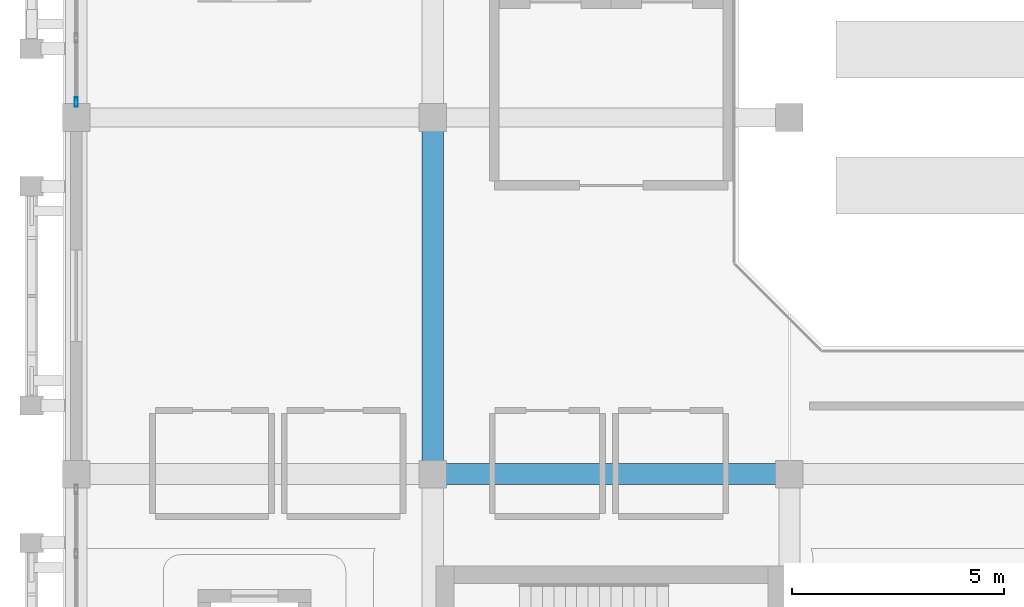
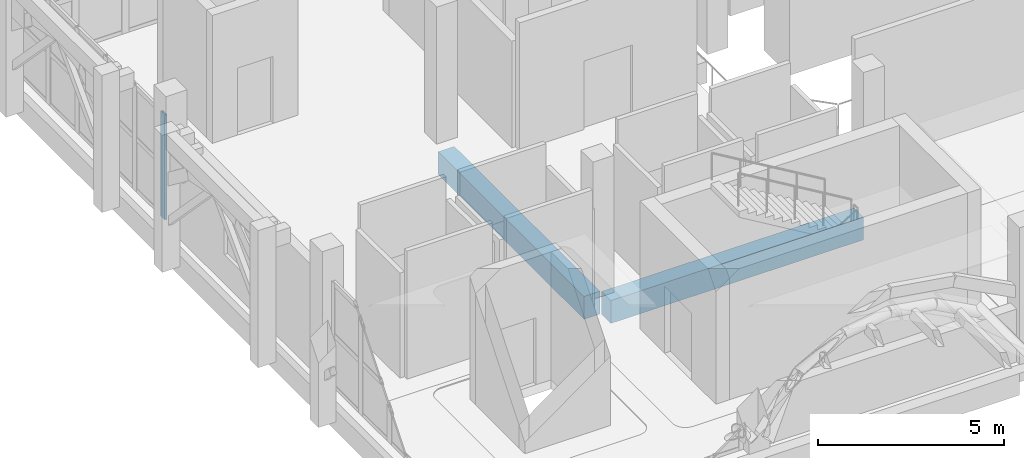
# One storey, part 6 of 22: 2 beams, 1 member, 1 element without a shape of its own.
"""IFC4 building model written with IfcOpenShell, lengths in metres."""

from ifc_helpers import new_model, si_unit, direction, frame, origin, origin_2d, place, context, subcontext, project, spatial, rectangle, hollow_rectangle, extrude, material, layer, layer_set, material_profile, profile_set, type_object, element, aggregate, save


model = new_model("IFC4")

# Units and contexts
model_context = context("Model", 3, precision=1e-05, world=origin(), true_north=direction((0.0, 1.0)))
body_context = subcontext(model_context, "Body", "Model", "MODEL_VIEW")
ifc_project = project(units=[si_unit("LENGTHUNIT", "METRE"), si_unit("AREAUNIT", "SQUARE_METRE"), si_unit("VOLUMEUNIT", "CUBIC_METRE"), si_unit("PLANEANGLEUNIT", "RADIAN"), si_unit("MASSUNIT", "GRAM", prefix="KILO")], contexts=[model_context])

# Site, building, storey
site_placement = place(None, origin())
site = spatial("IfcSite", under=ifc_project, at=site_placement, CompositionType="ELEMENT")
building_placement = place(site_placement, origin())
building = spatial("IfcBuilding", under=site, at=building_placement, Name="Xazarin Passage Department Store", CompositionType="ELEMENT")
storey_placement = place(building_placement, frame((0.0, 0.0, 27.89990234375)))
storey = spatial("IfcBuildingStorey", under=building, at=storey_placement, Name="L06", CompositionType="ELEMENT", Elevation=27.89990234375)

# Curtain wall, member
ifc_material_1 = material(Name="Bronze anodised aluminium", Category="aluminium")
ifc_layer = layer(ifc_material_1, 0.199951171875)
ifc_layer_set = layer_set([ifc_layer], Name="Bronze anodised aluminium")
curtain_wall_type = type_object("IfcCurtainWallType", Name="ARC-CW-VIT2", PredefinedType="NOTDEFINED", material=ifc_layer_set)
curtain_wall_placement = place(storey_placement, origin())
curtain_wall = element("IfcCurtainWall", 1, at=curtain_wall_placement, inside=storey, type_object=curtain_wall_type, Name="L06 V1 Curtain Wall 090", PredefinedType="NOTDEFINED")
ifc_material_profile_1 = material_profile(ifc_material_1, hollow_rectangle(XDim=0.074951171875, YDim=0.219970703125, WallThickness=0.0048828125, at=origin_2d()), Name="ALU 75x220")
ifc_profile_set_1 = profile_set([ifc_material_profile_1], Name="Bronze anodised aluminium")
member_type = type_object("IfcMemberType", Name="ARC-CWM-75x220", PredefinedType="MULLION", material=ifc_profile_set_1)
member_placement = place(storey_placement, frame((0.0, 93.5625, 0.0), z_axis=(0.0, 0.0, 1.0), x_axis=(-1.0, 0.0, 0.0)))
member = element("IfcMember", 2, at=member_placement, type_object=member_type, Name="CW2 mullion 1", PredefinedType="MULLION", context=body_context, shape_type="SweptSolid", body=[
    extrude(hollow_rectangle(XDim=0.074951171875, YDim=0.219970703125, WallThickness=0.0048828125, at=origin_2d()), origin(), (0.0, 0.0, 1.0), 3.4501953125),
])
aggregate(curtain_wall, [member])

# Beams
ifc_material_2 = material(Name="Concrete C35/45", Category="concrete")
ifc_material_profile_2 = material_profile(ifc_material_2, rectangle(XDim=0.5, YDim=0.75, at=origin_2d()), Name="RC 500x750")
ifc_profile_set_2 = profile_set([ifc_material_profile_2], Name="Concrete C35/45")
beam_type = type_object("IfcBeamType", Name="STR-BM-SP500x750", PredefinedType="SPANDREL", material=ifc_profile_set_2)
beam_1_placement = place(storey_placement, frame((8.679931640625, 84.800048828125, -0.6748046875), z_axis=(1.0, 0.0, 0.0), x_axis=(0.0, 1.0, 0.0)))
element("IfcBeam", 3, at=beam_1_placement, inside=storey, type_object=beam_type, Name="L06 Grid Beam M/2-3", PredefinedType="SPANDREL", context=body_context, shape_type="SweptSolid", body=[
    extrude(rectangle(XDim=0.5, YDim=0.75, at=origin_2d()), origin(), (0.0, 0.0, 1.0), 7.840087890625),
])
beam_2_placement = place(storey_placement, frame((8.39990234375, 85.080078125, -0.6748046875), z_axis=(0.0, 1.0, 0.0), x_axis=(-1.0, 0.0, 0.0)))
element("IfcBeam", 4, at=beam_2_placement, inside=storey, type_object=beam_type, Name="L06 Grid Beam 2/M-N", PredefinedType="SPANDREL", context=body_context, shape_type="SweptSolid", body=[
    extrude(rectangle(XDim=0.5, YDim=0.75, at=origin_2d()), origin(), (0.0, 0.0, 1.0), 7.83984375),
])

save(model, "model.ifc")
